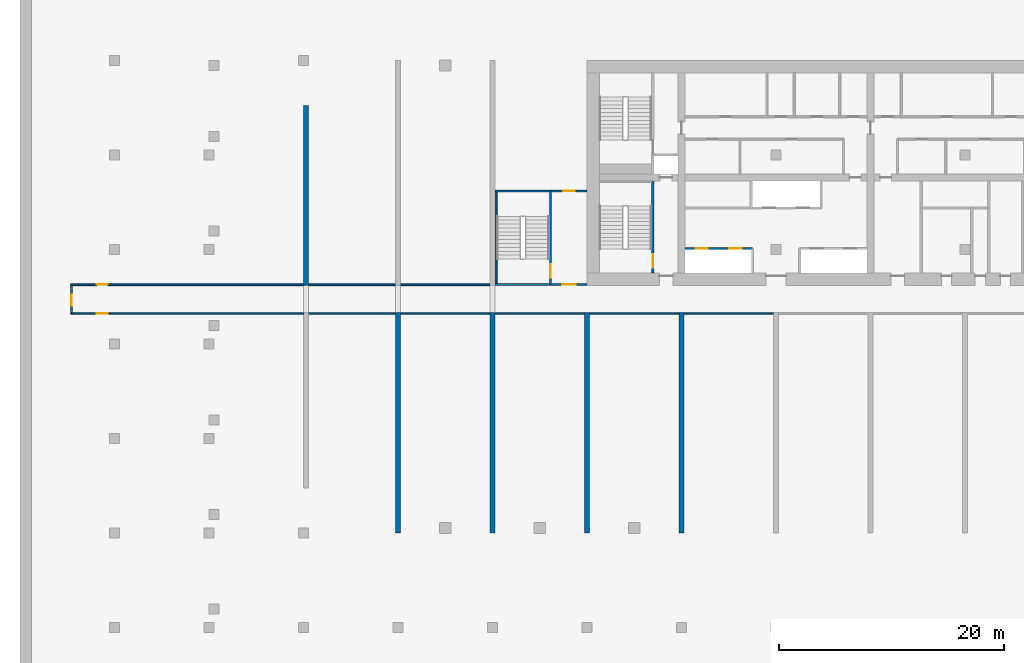
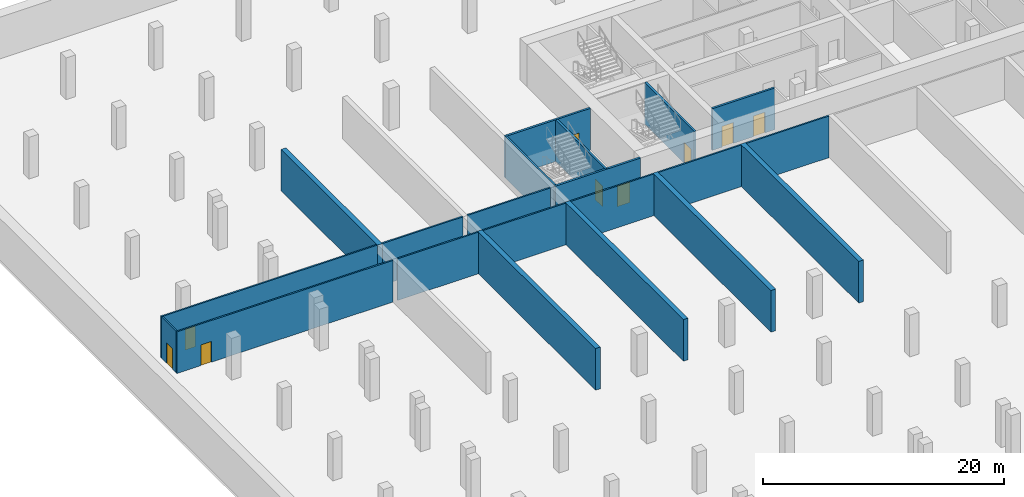
# One storey, part 3 of 12: 21 walls, 9 doors, 9 openings.
"""IFC4 building model written with IfcOpenShell, lengths in metres."""

import ifcopenshell
import ifcopenshell.guid

model = None  # the IFC model being written
_history = None  # IfcOwnerHistory: only IFC2X3 demands one
_inside = {}  # id of a spatial element -> (the spatial element, [elements in it])
_under = {}  # id of a project, library or spatial element -> (it, [spatial elements below it])
_declared = {}  # id of a project -> (the project, [libraries it declares])
_typed = {}  # id of a type object -> (the type object, [elements of that type])
_made_of = {}  # id of a material, layer set ... -> (it, [elements and type objects made of it])


def new_model(schema):
    """Start an empty IFC model of exactly this schema.

    Asked for "IFC4X3", IfcOpenShell would pick the latest addendum, in which some entities
    have other attributes; the version numbers below select the first issue.
    IFC2X3 requires an IfcOwnerHistory on every rooted entity: one is made here for all.
    """
    global model, _history
    if schema == "IFC4X3":
        model = ifcopenshell.file(schema_version=(4, 3, 0, 0))
    else:
        model = ifcopenshell.file(schema=schema)
    _inside.clear()
    _under.clear()
    _declared.clear()
    _typed.clear()
    _made_of.clear()
    _history = None
    if model.schema == "IFC2X3":
        org = make("IfcOrganization", Name="unknown")
        user = make(
            "IfcPersonAndOrganization",
            ThePerson=make("IfcPerson", FamilyName="unknown"),
            TheOrganization=org,
        )
        app = make(
            "IfcApplication",
            ApplicationDeveloper=org,
            Version="unknown",
            ApplicationFullName="unknown",
            ApplicationIdentifier="unknown",
        )
        _history = make(
            "IfcOwnerHistory",
            OwningUser=user,
            OwningApplication=app,
            ChangeAction="ADDED",
            CreationDate=0,
        )
    return model


def make(cls, **values):
    """One entity of the class cls with the attributes given. An attribute that is None is left unset."""
    return model.create_entity(
        cls, **{name: value for name, value in values.items() if value is not None}
    )


def rooted(cls, **values):
    """An entity with a GlobalId (a new one), such as an element, a storey or a relation."""
    return make(cls, GlobalId=ifcopenshell.guid.new(), OwnerHistory=_history, **values)


def si_unit(unit_type, name, prefix=None):
    """IfcSIUnit, for example si_unit("LENGTHUNIT", "METRE", prefix="MILLI")."""
    return make("IfcSIUnit", UnitType=unit_type, Prefix=prefix, Name=name)


def assignment(units):
    """IfcUnitAssignment: the units of a project."""
    return None if units is None else make("IfcUnitAssignment", Units=units)


def point(xyz):
    """IfcCartesianPoint."""
    return None if xyz is None else make("IfcCartesianPoint", Coordinates=xyz)


def direction(xyz):
    """IfcDirection."""
    return None if xyz is None else make("IfcDirection", DirectionRatios=xyz)


def frame(location, z_axis=None, x_axis=None):
    """IfcAxis2Placement3D, a coordinate frame: its origin and axes. An axis left out is left unset."""
    return make(
        "IfcAxis2Placement3D",
        Location=point(location),
        Axis=direction(z_axis),
        RefDirection=direction(x_axis),
    )


def frame_2d(location, x_axis=None):
    """IfcAxis2Placement2D, a coordinate frame in the plane: its origin and x axis."""
    return make(
        "IfcAxis2Placement2D", Location=point(location), RefDirection=direction(x_axis)
    )


def origin():
    """The frame at (0, 0, 0) with its axes left unset."""
    return frame((0.0, 0.0, 0.0))


def place(relative_to, where):
    """IfcLocalPlacement: puts the frame where relative to a parent placement (None: the world)."""
    return make(
        "IfcLocalPlacement", PlacementRelTo=relative_to, RelativePlacement=where
    )


def context(
    kind, dimensions, precision=None, world=None, true_north=None, identifier=None
):
    """IfcGeometricRepresentationContext, for example the 3D "Model" context."""
    return make(
        "IfcGeometricRepresentationContext",
        ContextIdentifier=identifier,
        ContextType=kind,
        CoordinateSpaceDimension=dimensions,
        Precision=precision,
        WorldCoordinateSystem=world,
        TrueNorth=true_north,
    )


def subcontext(parent, identifier, kind, view, scale=None):
    """IfcGeometricRepresentationSubContext, for example "Body" below "Model"."""
    return make(
        "IfcGeometricRepresentationSubContext",
        ContextIdentifier=identifier,
        ContextType=kind,
        ParentContext=parent,
        TargetScale=scale,
        TargetView=view,
    )


def project(units=None, contexts=None):
    """IfcProject with its units and contexts."""
    return rooted(
        "IfcProject",
        Name="project",
        RepresentationContexts=contexts,
        UnitsInContext=assignment(units),
    )


def spatial(cls, under=None, at=None, **own):
    """A site, building, storey or space (cls), placed at a placement, below another one or the project."""
    s = rooted(cls, ObjectPlacement=at, **own)
    if under is not None:
        _under.setdefault(under.id(), (under, []))[1].append(s)
    return s


def profile(cls, at=None, kind="AREA", **sizes):
    """A parametric profile (cls). Its sizes go by their IFC names, for example OverallWidth=200.0."""
    return make(cls, ProfileType=kind, Position=at, **sizes)


def rectangle(**sizes):
    """IfcRectangleProfileDef."""
    return profile("IfcRectangleProfileDef", **sizes)


def extrude(swept, where, along, depth):
    """IfcExtrudedAreaSolid: the profile swept, set in the frame where, extruded along a direction by depth."""
    return make(
        "IfcExtrudedAreaSolid",
        SweptArea=swept,
        Position=where,
        ExtrudedDirection=direction(along),
        Depth=depth,
    )


def shape(context_of_items, identifier, shape_type, items):
    """IfcShapeRepresentation: the items that make up one representation, for example the "Body"."""
    return make(
        "IfcShapeRepresentation",
        ContextOfItems=context_of_items,
        RepresentationIdentifier=identifier,
        RepresentationType=shape_type,
        Items=items,
    )


def source(mapping_origin, context_of_items, identifier, shape_type, items):
    """IfcRepresentationMap: a shape defined once, which mapped items show again and again."""
    return make(
        "IfcRepresentationMap",
        MappingOrigin=mapping_origin,
        MappedRepresentation=shape(context_of_items, identifier, shape_type, items),
    )


def transform(
    local_origin,
    x_axis=None,
    y_axis=None,
    z_axis=None,
    scale=None,
    scale2=None,
    scale3=None,
    uniform=True,
):
    """IfcCartesianTransformationOperator3D, or its non-uniform kind. x_axis, y_axis, z_axis: its Axis1, 2, 3."""
    if uniform:
        return make(
            "IfcCartesianTransformationOperator3D",
            Axis1=direction(x_axis),
            Axis2=direction(y_axis),
            LocalOrigin=point(local_origin),
            Scale=scale,
            Axis3=direction(z_axis),
        )
    return make(
        "IfcCartesianTransformationOperator3DnonUniform",
        Axis1=direction(x_axis),
        Axis2=direction(y_axis),
        LocalOrigin=point(local_origin),
        Scale=scale,
        Axis3=direction(z_axis),
        Scale2=scale2,
        Scale3=scale3,
    )


def mapped(mapping_source, mapping_target):
    """IfcMappedItem: shows the shape of a source again, moved by a transform."""
    return make(
        "IfcMappedItem", MappingSource=mapping_source, MappingTarget=mapping_target
    )


def material(Name=None, Category=None):
    """IfcMaterial."""
    return make("IfcMaterial", Name=Name, Category=Category)


def layer(
    of_material, thickness, ventilated=None, Name=None, Category=None, Priority=None
):
    """IfcMaterialLayer: one layer of a wall or slab, of a material (None: an air gap)."""
    return make(
        "IfcMaterialLayer",
        Material=of_material,
        LayerThickness=thickness,
        IsVentilated=ventilated,
        Name=Name,
        Category=Category,
        Priority=Priority,
    )


def layer_set(layers, Name=None):
    """IfcMaterialLayerSet."""
    return make("IfcMaterialLayerSet", MaterialLayers=layers, LayerSetName=Name)


def made_of(thing, what):
    """Note that an element or type object is made of a material, layer set ...; save() writes the relation."""
    if what is not None:
        _made_of.setdefault(what.id(), (what, []))[1].append(thing)
    return thing


def type_object(cls, material=None, **own):
    """A type object (cls), such as IfcWallType, which elements share."""
    return made_of(rooted(cls, **own), material)


def element(
    cls,
    number,
    at=None,
    inside=None,
    cuts=None,
    type_object=None,
    material=None,
    context=None,
    identifier="Body",
    shape_type=None,
    held_by="IfcProductDefinitionShape",
    body=None,
    shapes=None,
    **own,
):
    """One element of the class cls, such as IfcWall. Its Tag is "e" and its number.

    at: its placement. inside: the storey or other place that contains it. cuts: it is an
    opening in that element (IfcRelVoidsElement). A single representation is given by context,
    identifier, shape_type and body (its items); several are given by shapes. held_by: the class
    of the entity that holds the representations. save() writes the other relations.
    """
    e = rooted(cls, Tag="e%d" % number, ObjectPlacement=at, **own)
    if body is not None:
        shapes = [shape(context, identifier, shape_type, body)]
    if shapes is not None:
        e.Representation = make(held_by, Representations=shapes)
    if inside is not None:
        _inside.setdefault(inside.id(), (inside, []))[1].append(e)
    if cuts is not None:
        rooted(
            "IfcRelVoidsElement", RelatingBuildingElement=cuts, RelatedOpeningElement=e
        )
    if type_object is not None:
        _typed.setdefault(type_object.id(), (type_object, []))[1].append(e)
    return made_of(e, material)


def fill(opening, filler):
    """IfcRelFillsElement: the door or window that sits in an opening."""
    return rooted(
        "IfcRelFillsElement",
        RelatingOpeningElement=opening,
        RelatedBuildingElement=filler,
    )


def aggregate(whole, parts):
    """IfcRelAggregates: a whole, such as a stair, and the parts it consists of."""
    return rooted("IfcRelAggregates", RelatingObject=whole, RelatedObjects=parts)


def save(model, path):
    """Write the relations noted so far, then the file.

    IfcRelAggregates (storeys below a building ...), IfcRelContainedInSpatialStructure (elements
    in a storey), IfcRelDefinesByType, IfcRelAssociatesMaterial and IfcRelDeclares: one each for
    every whole, place, type object, material and project.
    """
    for whole, parts in _under.values():
        aggregate(whole, parts)
    for where, things in _inside.values():
        rooted(
            "IfcRelContainedInSpatialStructure",
            RelatedElements=things,
            RelatingStructure=where,
        )
    for kind, things in _typed.values():
        rooted("IfcRelDefinesByType", RelatedObjects=things, RelatingType=kind)
    for what, things in _made_of.values():
        rooted("IfcRelAssociatesMaterial", RelatedObjects=things, RelatingMaterial=what)
    for by, libraries in _declared.values():
        rooted("IfcRelDeclares", RelatingContext=by, RelatedDefinitions=libraries)
    model.write(path)


model = new_model("IFC4")

# Units and contexts
model_context = context("Model", 3, precision=1e-05, world=origin(), true_north=direction((0.0, 1.0)))
body_context = subcontext(model_context, "Body", "Model", "MODEL_VIEW")
ifc_project = project(units=[si_unit("LENGTHUNIT", "METRE"), si_unit("AREAUNIT", "SQUARE_METRE"), si_unit("VOLUMEUNIT", "CUBIC_METRE"), si_unit("PLANEANGLEUNIT", "RADIAN"), si_unit("MASSUNIT", "GRAM", prefix="KILO")], contexts=[model_context])

# Site, building, storey
site_placement = place(None, origin())
site = spatial("IfcSite", under=ifc_project, at=site_placement, CompositionType="ELEMENT")
building_placement = place(site_placement, origin())
building = spatial("IfcBuilding", under=site, at=building_placement, Name="Vanashikhar Sky Hotel", CompositionType="ELEMENT")
storey_placement = place(building_placement, frame((0.0, 0.0, -4.5)))
storey = spatial("IfcBuildingStorey", under=building, at=storey_placement, Name="B1", CompositionType="ELEMENT", Elevation=-4.5)

# Walls
ifc_material_1 = material(Name="Concrete M80", Category="concrete")
ifc_layer_1 = layer(ifc_material_1, 0.449951171875)
ifc_layer_set_1 = layer_set([ifc_layer_1], Name="RC shear wall 450 Concrete M80")
wall_type_1 = type_object("IfcWallType", Name="RC shear wall 450 Concrete M80", PredefinedType="SHEAR", material=ifc_layer_set_1)
shared_shape_1 = source(origin(), body_context, "Body", "SweptSolid", [
    extrude(rectangle(XDim=16.0, YDim=0.449951171875, at=frame_2d((8.0, 0.0))), origin(), (0.0, 0.0, 1.0), 4.219970703125),
])
wall_1_placement = place(storey_placement, frame((0.22509765625, 22.0, 0.0), z_axis=(0.0, 0.0, 1.0), x_axis=(0.0, 1.0, 0.0)))
element("IfcWall", 1, at=wall_1_placement, inside=storey, type_object=wall_type_1, Name="CW-B1-XW01-2", PredefinedType="SHEAR", context=body_context, shape_type="MappedRepresentation", body=[
    mapped(shared_shape_1, transform((0.0, 0.0, 0.0), scale=1.0)),
])
shared_shape_2 = source(origin(), body_context, "Body", "SweptSolid", [
    extrude(rectangle(XDim=19.60009765625, YDim=0.449951171875, at=frame_2d((9.800048828125, 0.0))), origin(), (0.0, 0.0, 1.0), 4.219970703125),
])
for number, where, z_axis, x_axis, name in (
    (2, (8.39990234375, 0.0, 0.0), (0.0, 0.0, 1.0), (0.0, 1.0, 0.0), "CW-B1-XW02-1"),
    (3, (16.800048828125, 0.0, 0.0), (0.0, 0.0, 1.0), (0.0, 1.0, 0.0), "CW-B1-XW03-1"),
    (4, (25.199951171875, 0.0, 0.0), (0.0, 0.0, 1.0), (0.0, 1.0, 0.0), "CW-B1-XW04-1"),
    (5, (33.60009765625, 0.0, 0.0), (0.0, 0.0, 1.0), (0.0, 1.0, 0.0), "CW-B1-XW05-1"),
):
    element("IfcWall", number, at=place(storey_placement, frame(where, z_axis=z_axis, x_axis=x_axis)), inside=storey, type_object=wall_type_1, Name=name, PredefinedType="SHEAR", context=body_context, shape_type="MappedRepresentation", body=[
        mapped(shared_shape_2, transform((0.0, 0.0, 0.0), scale=1.0)),
    ])

# Wall, openings, doors
ifc_material_2 = material(Name="Concrete M40", Category="concrete")
ifc_layer_2 = layer(ifc_material_2, 0.199951171875)
ifc_layer_set_2 = layer_set([ifc_layer_2], Name="Shaft wall 200")
wall_type_2 = type_object("IfcWallType", Name="Shaft wall 200", PredefinedType="SOLIDWALL", material=ifc_layer_set_2)
shared_shape_3 = source(origin(), body_context, "Body", "SweptSolid", [
    extrude(rectangle(XDim=6.0, YDim=0.199951171875, at=frame_2d((3.0, 0.0))), origin(), (0.0, 0.0, 1.0), 4.219970703125),
])
wall_2_placement = place(storey_placement, frame((33.89990234375, 25.300048828125, 0.0), z_axis=(0.0, 0.0, 1.0), x_axis=(1.0, 0.0, 0.0)))
wall_2 = element("IfcWall", 6, at=wall_2_placement, inside=storey, type_object=wall_type_2, Name="Shaft wall 200", PredefinedType="SOLIDWALL", context=body_context, shape_type="MappedRepresentation", body=[
    mapped(shared_shape_3, transform((0.0, 0.0, 0.0), scale=1.0)),
])
shared_shape_4 = source(origin(), body_context, "Body", "SweptSolid", [
    extrude(rectangle(XDim=1.10009765625, YDim=2.10009765625, at=frame_2d((0.550048828125, 1.050048828125))), frame((0.0, 0.10986328125, 0.0), z_axis=(0.0, -1.0, 0.0), x_axis=(1.0, 0.0, 0.0)), (0.0, 0.0, 1.0), 0.219970703125),
])
opening_1_placement = place(wall_2_placement, frame((0.949951171875, 0.0, 0.0)))
opening_1 = element("IfcOpeningElement", 7, at=opening_1_placement, cuts=wall_2, Name="Opening LD", PredefinedType="OPENING", context=body_context, shape_type="MappedRepresentation", body=[
    mapped(shared_shape_4, transform((0.0, 0.0, 0.0), scale=1.0)),
])
opening_2_placement = place(wall_2_placement, frame((3.949951171875, 0.0, 0.0)))
opening_2 = element("IfcOpeningElement", 8, at=opening_2_placement, cuts=wall_2, Name="Opening LD", PredefinedType="OPENING", context=body_context, shape_type="MappedRepresentation", body=[
    mapped(shared_shape_4, transform((0.0, 0.0, 0.0), scale=1.0)),
])
ifc_material_3 = material(Name="Stainless steel", Category="steel")
door_type_1 = type_object("IfcDoorType", Name="Lift landing door 1100", OperationType="NOTDEFINED", PredefinedType="DOOR", material=ifc_material_3)
shared_shape_5 = source(origin(), body_context, "Body", "SweptSolid", [
    extrude(rectangle(XDim=1.10009765625, YDim=2.10009765625, at=frame_2d((0.550048828125, 1.050048828125))), frame((0.0, 0.02490234375, 0.0), z_axis=(0.0, -1.0, 0.0), x_axis=(1.0, 0.0, 0.0)), (0.0, 0.0, 1.0), 0.050048828125),
])
door_1_placement = place(opening_1_placement, origin())
door_1 = element("IfcDoor", 9, at=door_1_placement, inside=storey, type_object=door_type_1, Name="Lift landing door 1100", OperationType="SLIDING_TO_LEFT", OverallHeight=2.10009765625, OverallWidth=1.10009765625, PredefinedType="DOOR", context=body_context, shape_type="MappedRepresentation", body=[
    mapped(shared_shape_5, transform((0.0, 0.0, 0.0), scale=1.0)),
])
fill(opening_1, door_1)
door_2_placement = place(opening_2_placement, origin())
door_2 = element("IfcDoor", 10, at=door_2_placement, inside=storey, type_object=door_type_1, Name="Lift landing door 1100", OperationType="SLIDING_TO_RIGHT", OverallHeight=2.10009765625, OverallWidth=1.10009765625, PredefinedType="DOOR", context=body_context, shape_type="MappedRepresentation", body=[
    mapped(shared_shape_5, transform((0.0, 0.0, 0.0), scale=1.0)),
])
fill(opening_2, door_2)

# Wall, opening, door
ifc_material_4 = material(Name="Concrete M50", Category="concrete")
ifc_layer_3 = layer(ifc_material_4, 0.199951171875)
ifc_layer_set_3 = layer_set([ifc_layer_3], Name="Stair wall 200")
wall_type_3 = type_object("IfcWallType", Name="Stair wall 200", PredefinedType="SOLIDWALL", material=ifc_layer_set_3)
shared_shape_6 = source(origin(), body_context, "Body", "SweptSolid", [
    extrude(rectangle(XDim=8.199951171875, YDim=0.199951171875, at=frame_2d((4.10009765625, 0.0))), origin(), (0.0, 0.0, 1.0), 4.219970703125),
])
wall_3_placement = place(storey_placement, frame((31.050048828125, 23.10009765625, 0.0), z_axis=(0.0, 0.0, 1.0), x_axis=(0.0, 1.0, 0.0)))
wall_3 = element("IfcWall", 11, at=wall_3_placement, inside=storey, type_object=wall_type_3, Name="Stair wall 200", PredefinedType="SOLIDWALL", context=body_context, shape_type="MappedRepresentation", body=[
    mapped(shared_shape_6, transform((0.0, 0.0, 0.0), scale=1.0)),
])
shared_shape_7 = source(origin(), body_context, "Body", "SweptSolid", [
    extrude(rectangle(XDim=1.199951171875, YDim=2.10009765625, at=frame_2d((0.60009765625, 1.050048828125))), frame((0.0, 0.10986328125, 0.0), z_axis=(0.0, -1.0, 0.0), x_axis=(1.0, 0.0, 0.0)), (0.0, 0.0, 1.0), 0.219970703125),
])
opening_3_placement = place(wall_3_placement, frame((0.5, 0.0, 0.0)))
opening_3 = element("IfcOpeningElement", 12, at=opening_3_placement, cuts=wall_3, Name="Opening DC-1", PredefinedType="OPENING", context=body_context, shape_type="MappedRepresentation", body=[
    mapped(shared_shape_7, transform((0.0, 0.0, 0.0), scale=1.0)),
])
ifc_material_5 = material(Name="Steel", Category="steel")
door_type_2 = type_object("IfcDoorType", Name="Stair door 1200 FD120", OperationType="NOTDEFINED", PredefinedType="DOOR", material=ifc_material_5)
shared_shape_8 = source(origin(), body_context, "Body", "SweptSolid", [
    extrude(rectangle(XDim=1.199951171875, YDim=2.10009765625, at=frame_2d((0.60009765625, 1.050048828125))), frame((0.0, 0.02490234375, 0.0), z_axis=(0.0, -1.0, 0.0), x_axis=(1.0, 0.0, 0.0)), (0.0, 0.0, 1.0), 0.050048828125),
])
door_3_placement = place(opening_3_placement, origin())
door_3 = element("IfcDoor", 13, at=door_3_placement, inside=storey, type_object=door_type_2, Name="Stair door 1200 FD120", OperationType="SINGLE_SWING_RIGHT", OverallHeight=2.10009765625, OverallWidth=1.199951171875, PredefinedType="DOOR", context=body_context, shape_type="MappedRepresentation", body=[
    mapped(shared_shape_8, transform((0.0, 0.0, 0.0), scale=1.0)),
])
fill(opening_3, door_3)

shared_shape_9 = source(origin(), body_context, "Body", "SweptSolid", [
    extrude(rectangle(XDim=8.2998046875, YDim=0.199951171875, at=frame_2d((4.14990234375, 0.0))), origin(), (0.0, 0.0, 1.0), 4.219970703125),
])
wall_4_placement = place(storey_placement, frame((21.949951171875, 22.10009765625, 0.0), z_axis=(0.0, 0.0, 1.0), x_axis=(0.0, 1.0, 0.0)))
wall_4 = element("IfcWall", 14, at=wall_4_placement, inside=storey, type_object=wall_type_3, Name="Stair wall 200", PredefinedType="SOLIDWALL", context=body_context, shape_type="MappedRepresentation", body=[
    mapped(shared_shape_9, transform((0.0, 0.0, 0.0), scale=1.0)),
])
opening_4_placement = place(wall_4_placement, frame((0.60009765625, 0.0, 0.0)))
opening_4 = element("IfcOpeningElement", 15, at=opening_4_placement, cuts=wall_4, Name="Opening DC-1", PredefinedType="OPENING", context=body_context, shape_type="MappedRepresentation", body=[
    mapped(shared_shape_7, transform((0.0, 0.0, 0.0), scale=1.0)),
])
door_4_placement = place(opening_4_placement, origin())
door_4 = element("IfcDoor", 16, at=door_4_placement, inside=storey, type_object=door_type_2, Name="Stair door 1200 FD120", OperationType="SINGLE_SWING_LEFT", OverallHeight=2.10009765625, OverallWidth=1.199951171875, PredefinedType="DOOR", context=body_context, shape_type="MappedRepresentation", body=[
    mapped(shared_shape_8, transform((0.0, 0.0, 0.0), scale=1.0)),
])
fill(opening_4, door_4)

shared_shape_10 = source(origin(), body_context, "Body", "SweptSolid", [
    extrude(rectangle(XDim=8.175048828125, YDim=0.199951171875, at=frame_2d((4.08740234375, 0.0))), origin(), (0.0, 0.0, 1.0), 4.219970703125),
])
wall_5_placement = place(storey_placement, frame((17.02490234375, 22.10009765625, 0.0), z_axis=(0.0, 0.0, 1.0), x_axis=(1.0, 0.0, 0.0)))
wall_5 = element("IfcWall", 17, at=wall_5_placement, inside=storey, type_object=wall_type_3, Name="Stair wall 200", PredefinedType="SOLIDWALL", context=body_context, shape_type="MappedRepresentation", body=[
    mapped(shared_shape_10, transform((0.0, 0.0, 0.0), scale=1.0)),
])
opening_5_placement = place(wall_5_placement, frame((5.97509765625, 0.0, 0.0)))
opening_5 = element("IfcOpeningElement", 18, at=opening_5_placement, cuts=wall_5, Name="Opening DC-2", PredefinedType="OPENING", context=body_context, shape_type="MappedRepresentation", body=[
    mapped(shared_shape_7, transform((0.0, 0.0, 0.0), scale=1.0)),
])
door_type_3 = type_object("IfcDoorType", Name="Firefighting lobby door 1200 FD120", OperationType="NOTDEFINED", PredefinedType="DOOR", material=ifc_material_5)
door_5_placement = place(opening_5_placement, origin())
door_5 = element("IfcDoor", 19, at=door_5_placement, inside=storey, type_object=door_type_3, Name="Firefighting lobby door 1200 FD120", OperationType="SINGLE_SWING_RIGHT", OverallHeight=2.10009765625, OverallWidth=1.199951171875, PredefinedType="DOOR", context=body_context, shape_type="MappedRepresentation", body=[
    mapped(shared_shape_8, transform((0.0, 0.0, 0.0), scale=1.0)),
])
fill(opening_5, door_5)

wall_6_placement = place(storey_placement, frame((17.02490234375, 30.39990234375, 0.0), z_axis=(0.0, 0.0, 1.0), x_axis=(1.0, 0.0, 0.0)))
wall_6 = element("IfcWall", 20, at=wall_6_placement, inside=storey, type_object=wall_type_3, Name="Stair wall 200", PredefinedType="SOLIDWALL", context=body_context, shape_type="MappedRepresentation", body=[
    mapped(shared_shape_10, transform((0.0, 0.0, 0.0), scale=1.0)),
])
shared_shape_11 = source(origin(), body_context, "Body", "SweptSolid", [
    extrude(rectangle(XDim=1.0, YDim=2.10009765625, at=frame_2d((0.5, 1.050048828125))), frame((0.0, 0.10986328125, 0.0), z_axis=(0.0, -1.0, 0.0), x_axis=(1.0, 0.0, 0.0)), (0.0, 0.0, 1.0), 0.219970703125),
])
opening_6_placement = place(wall_6_placement, frame((6.074951171875, 0.0, 0.0)))
opening_6 = element("IfcOpeningElement", 21, at=opening_6_placement, cuts=wall_6, Name="Opening DC-6", PredefinedType="OPENING", context=body_context, shape_type="MappedRepresentation", body=[
    mapped(shared_shape_11, transform((0.0, 0.0, 0.0), scale=1.0)),
])
door_type_4 = type_object("IfcDoorType", Name="Pocket door 1000 FD60", OperationType="NOTDEFINED", PredefinedType="DOOR", material=ifc_material_5)
shared_shape_12 = source(origin(), body_context, "Body", "SweptSolid", [
    extrude(rectangle(XDim=1.0, YDim=2.10009765625, at=frame_2d((0.5, 1.050048828125))), frame((0.0, 0.02490234375, 0.0), z_axis=(0.0, -1.0, 0.0), x_axis=(1.0, 0.0, 0.0)), (0.0, 0.0, 1.0), 0.050048828125),
])
door_6_placement = place(opening_6_placement, origin())
door_6 = element("IfcDoor", 22, at=door_6_placement, inside=storey, type_object=door_type_4, Name="Pocket door 1000 FD60", OperationType="SINGLE_SWING_RIGHT", OverallHeight=2.10009765625, OverallWidth=1.0, PredefinedType="DOOR", context=body_context, shape_type="MappedRepresentation", body=[
    mapped(shared_shape_12, transform((0.0, 0.0, 0.0), scale=1.0)),
])
fill(opening_6, door_6)

# Wall
ifc_layer_4 = layer(ifc_material_4, 0.175048828125)
ifc_layer_set_4 = layer_set([ifc_layer_4], Name="Stair infill wall 175")
wall_type_4 = type_object("IfcWallType", Name="Stair infill wall 175", PredefinedType="SOLIDWALL", material=ifc_layer_set_4)
shared_shape_13 = source(origin(), body_context, "Body", "SweptSolid", [
    extrude(rectangle(XDim=8.10009765625, YDim=0.175048828125, at=frame_2d((4.050048828125, 0.0))), origin(), (0.0, 0.0, 1.0), 4.219970703125),
])
wall_7_placement = place(storey_placement, frame((17.112060546875, 22.199951171875, 0.0), z_axis=(0.0, 0.0, 1.0), x_axis=(0.0, 1.0, 0.0)))
element("IfcWall", 23, at=wall_7_placement, inside=storey, type_object=wall_type_4, Name="Stair infill wall 175", PredefinedType="SOLIDWALL", context=body_context, shape_type="MappedRepresentation", body=[
    mapped(shared_shape_13, transform((0.0, 0.0, 0.0), scale=1.0)),
])

# Wall, opening, door
ifc_material_6 = material(Name="Concrete M30", Category="concrete")
ifc_layer_5 = layer(ifc_material_6, 0.14990234375)
ifc_layer_set_5 = layer_set([ifc_layer_5], Name="Car park partition 150 mm")
wall_type_5 = type_object("IfcWallType", Name="Car park partition 150 mm", PredefinedType="PARTITIONING", material=ifc_layer_set_5)
shared_shape_14 = source(origin(), body_context, "Body", "SweptSolid", [
    extrude(rectangle(XDim=2.39990234375, YDim=0.14990234375, at=frame_2d((1.199951171875, 0.0))), origin(), (0.0, 0.0, 1.0), 4.219970703125),
])
wall_8_placement = place(storey_placement, frame((-20.625, 19.60009765625, 0.0), z_axis=(0.0, 0.0, 1.0), x_axis=(0.0, 1.0, 0.0)))
wall_8 = element("IfcWall", 24, at=wall_8_placement, inside=storey, type_object=wall_type_5, Name="Car park partition", PredefinedType="PARTITIONING", context=body_context, shape_type="MappedRepresentation", body=[
    mapped(shared_shape_14, transform((0.0, 0.0, 0.0), scale=1.0)),
])
shared_shape_15 = source(origin(), body_context, "Body", "SweptSolid", [
    extrude(rectangle(XDim=1.0, YDim=2.10009765625, at=frame_2d((0.5, 1.050048828125))), frame((0.0, 0.0849609375, 0.0), z_axis=(0.0, -1.0, 0.0), x_axis=(1.0, 0.0, 0.0)), (0.0, 0.0, 1.0), 0.169921875),
])
opening_7_placement = place(wall_8_placement, frame((0.60009765625, 0.0, 0.0)))
opening_7 = element("IfcOpeningElement", 25, at=opening_7_placement, cuts=wall_8, Name="Opening PD-05", PredefinedType="OPENING", context=body_context, shape_type="MappedRepresentation", body=[
    mapped(shared_shape_15, transform((0.0, 0.0, 0.0), scale=1.0)),
])
ifc_material_7 = material(Name="Steel S355", Category="steel")
door_type_5 = type_object("IfcDoorType", Name="Car park lobby door 1000 FD120", OperationType="NOTDEFINED", PredefinedType="DOOR", material=ifc_material_7)
door_7_placement = place(opening_7_placement, origin())
door_7 = element("IfcDoor", 26, at=door_7_placement, inside=storey, type_object=door_type_5, Name="Car park lobby door", OperationType="SINGLE_SWING_LEFT", OverallHeight=2.10009765625, OverallWidth=1.0, PredefinedType="DOOR", context=body_context, shape_type="MappedRepresentation", body=[
    mapped(shared_shape_12, transform((0.0, 0.0, 0.0), scale=1.0)),
])
fill(opening_7, door_7)

shared_shape_16 = source(origin(), body_context, "Body", "SweptSolid", [
    extrude(rectangle(XDim=20.699951171875, YDim=0.14990234375, at=frame_2d((10.35009765625, 0.0))), origin(), (0.0, 0.0, 1.0), 4.219970703125),
])
wall_9_placement = place(storey_placement, frame((-20.699951171875, 19.52490234375, 0.0), z_axis=(0.0, 0.0, 1.0), x_axis=(1.0, 0.0, 0.0)))
wall_9 = element("IfcWall", 27, at=wall_9_placement, inside=storey, type_object=wall_type_5, Name="Car park partition", PredefinedType="PARTITIONING", context=body_context, shape_type="MappedRepresentation", body=[
    mapped(shared_shape_16, transform((0.0, 0.0, 0.0), scale=1.0)),
])
opening_8_placement = place(wall_9_placement, frame((2.300048828125, 0.0, 0.0)))
opening_8 = element("IfcOpeningElement", 28, at=opening_8_placement, cuts=wall_9, Name="Opening PD-01", PredefinedType="OPENING", context=body_context, shape_type="MappedRepresentation", body=[
    mapped(shared_shape_15, transform((0.0, 0.0, 0.0), scale=1.0)),
])
door_8_placement = place(opening_8_placement, origin())
door_8 = element("IfcDoor", 29, at=door_8_placement, inside=storey, type_object=door_type_5, Name="Car park lobby door", OperationType="SINGLE_SWING_LEFT", OverallHeight=2.10009765625, OverallWidth=1.0, PredefinedType="DOOR", context=body_context, shape_type="MappedRepresentation", body=[
    mapped(shared_shape_12, transform((0.0, 0.0, 0.0), scale=1.0)),
])
fill(opening_8, door_8)

wall_10_placement = place(storey_placement, frame((-20.699951171875, 22.074951171875, 0.0), z_axis=(0.0, 0.0, 1.0), x_axis=(1.0, 0.0, 0.0)))
wall_10 = element("IfcWall", 30, at=wall_10_placement, inside=storey, type_object=wall_type_5, Name="Car park partition", PredefinedType="PARTITIONING", context=body_context, shape_type="MappedRepresentation", body=[
    mapped(shared_shape_16, transform((0.0, 0.0, 0.0), scale=1.0)),
])
opening_9_placement = place(wall_10_placement, frame((2.300048828125, 0.0, 0.0)))
opening_9 = element("IfcOpeningElement", 31, at=opening_9_placement, cuts=wall_10, Name="Opening PD-02", PredefinedType="OPENING", context=body_context, shape_type="MappedRepresentation", body=[
    mapped(shared_shape_15, transform((0.0, 0.0, 0.0), scale=1.0)),
])
door_9_placement = place(opening_9_placement, origin())
door_9 = element("IfcDoor", 32, at=door_9_placement, inside=storey, type_object=door_type_5, Name="Car park lobby door", OperationType="SINGLE_SWING_RIGHT", OverallHeight=2.10009765625, OverallWidth=1.0, PredefinedType="DOOR", context=body_context, shape_type="MappedRepresentation", body=[
    mapped(shared_shape_12, transform((0.0, 0.0, 0.0), scale=1.0)),
])
fill(opening_9, door_9)

# Walls
shared_shape_17 = source(origin(), body_context, "Body", "SweptSolid", [
    extrude(rectangle(XDim=7.72509765625, YDim=0.14990234375, at=frame_2d((3.862548828125, 0.0))), origin(), (0.0, 0.0, 1.0), 4.219970703125),
])
for number, where, z_axis, x_axis, name in (
    (33, (0.449951171875, 19.52490234375, 0.0), (0.0, 0.0, 1.0), (1.0, 0.0, 0.0), "Car park partition"),
    (34, (0.449951171875, 22.074951171875, 0.0), (0.0, 0.0, 1.0), (1.0, 0.0, 0.0), "Car park partition"),
):
    element("IfcWall", number, at=place(storey_placement, frame(where, z_axis=z_axis, x_axis=x_axis)), inside=storey, type_object=wall_type_5, Name=name, PredefinedType="PARTITIONING", context=body_context, shape_type="MappedRepresentation", body=[
        mapped(shared_shape_17, transform((0.0, 0.0, 0.0), scale=1.0)),
    ])
shared_shape_18 = source(origin(), body_context, "Body", "SweptSolid", [
    extrude(rectangle(XDim=7.949951171875, YDim=0.14990234375, at=frame_2d((3.97509765625, 0.0))), origin(), (0.0, 0.0, 1.0), 4.219970703125),
])
for number, where, z_axis, x_axis, name in (
    (35, (8.625, 19.52490234375, 0.0), (0.0, 0.0, 1.0), (1.0, 0.0, 0.0), "Car park partition"),
    (36, (8.625, 22.074951171875, 0.0), (0.0, 0.0, 1.0), (1.0, 0.0, 0.0), "Car park partition"),
    (37, (25.425048828125, 19.52490234375, 0.0), (0.0, 0.0, 1.0), (1.0, 0.0, 0.0), "Car park partition"),
    (38, (33.824951171875, 19.52490234375, 0.0), (0.0, 0.0, 1.0), (1.0, 0.0, 0.0), "Car park partition"),
):
    element("IfcWall", number, at=place(storey_placement, frame(where, z_axis=z_axis, x_axis=x_axis)), inside=storey, type_object=wall_type_5, Name=name, PredefinedType="PARTITIONING", context=body_context, shape_type="MappedRepresentation", body=[
        mapped(shared_shape_18, transform((0.0, 0.0, 0.0), scale=1.0)),
    ])
shared_shape_19 = source(origin(), body_context, "Body", "SweptSolid", [
    extrude(rectangle(XDim=7.9501953125, YDim=0.14990234375, at=frame_2d((3.97509765625, 0.0))), origin(), (0.0, 0.0, 1.0), 4.219970703125),
])
wall_11_placement = place(storey_placement, frame((17.02490234375, 19.52490234375, 0.0), z_axis=(0.0, 0.0, 1.0), x_axis=(1.0, 0.0, 0.0)))
element("IfcWall", 39, at=wall_11_placement, inside=storey, type_object=wall_type_5, Name="Car park partition", PredefinedType="PARTITIONING", context=body_context, shape_type="MappedRepresentation", body=[
    mapped(shared_shape_19, transform((0.0, 0.0, 0.0), scale=1.0)),
])

save(model, "model.ifc")
